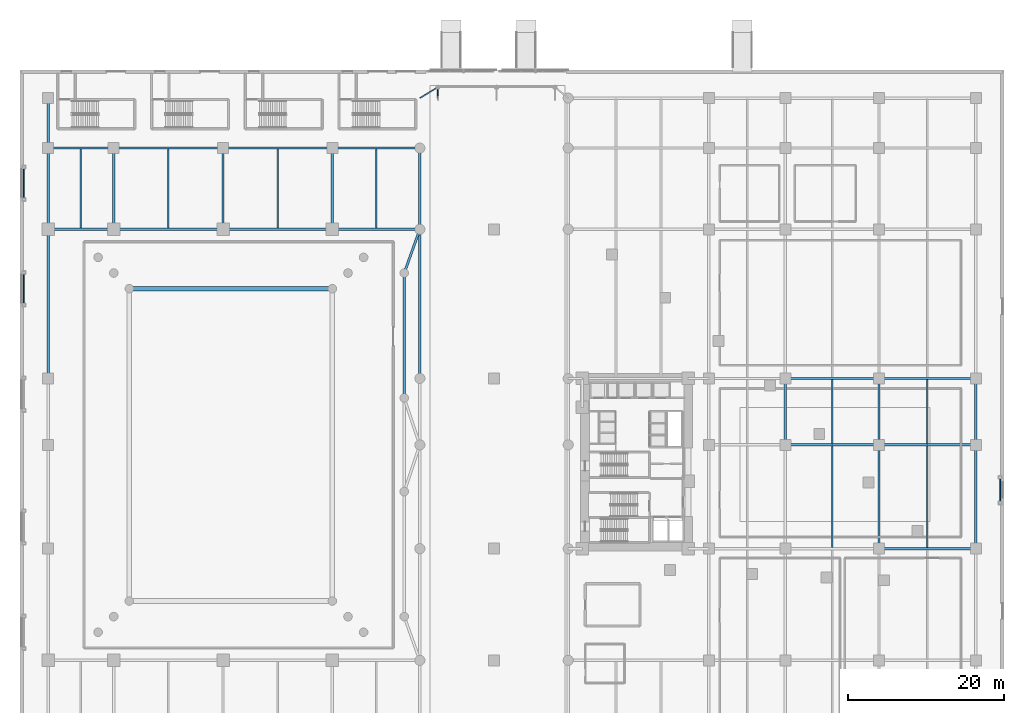
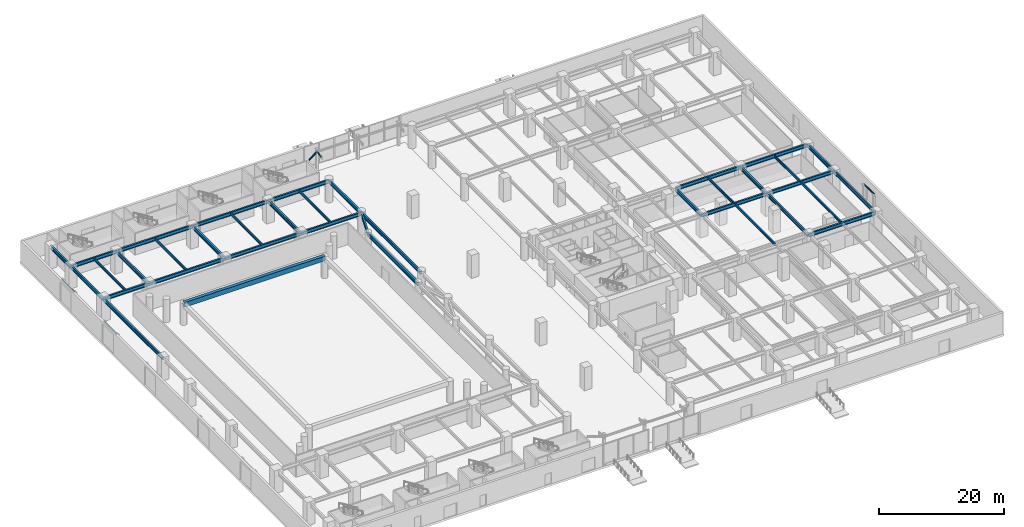
# One storey, part 16 of 42: 41 beams, 1 member.
"""IFC4 building model written with IfcOpenShell, lengths in metres."""

from ifc_helpers import new_model, si_unit, direction, frame, origin, origin_2d, place, context, subcontext, project, spatial, rectangle, hollow_rectangle, i_section, extrude, material, material_profile, profile_set, type_object, element, save


model = new_model("IFC4")

# Units and contexts
model_context = context("Model", 3, precision=1e-05, world=origin(), true_north=direction((0.0, 1.0)))
body_context = subcontext(model_context, "Body", "Model", "MODEL_VIEW")
ifc_project = project(units=[si_unit("LENGTHUNIT", "METRE"), si_unit("AREAUNIT", "SQUARE_METRE"), si_unit("VOLUMEUNIT", "CUBIC_METRE"), si_unit("PLANEANGLEUNIT", "RADIAN"), si_unit("MASSUNIT", "GRAM", prefix="KILO")], contexts=[model_context])

# Site, building, storey
site_placement = place(None, origin())
site = spatial("IfcSite", under=ifc_project, at=site_placement, CompositionType="ELEMENT")
building_placement = place(site_placement, origin())
building = spatial("IfcBuilding", under=site, at=building_placement, Name="Narakoshi Arena Tower", CompositionType="ELEMENT")
storey_placement = place(building_placement, origin())
storey = spatial("IfcBuildingStorey", under=building, at=storey_placement, Name="L00", CompositionType="ELEMENT", Elevation=0.0)

# Beams
ifc_material_1 = material(Name="Structural steel S355J2", Category="steel")
ifc_material_profile_1 = material_profile(ifc_material_1, i_section(OverallWidth=0.14990234375, OverallDepth=0.300048828125, WebThickness=0.007080078125, FlangeThickness=0.0107421875, FilletRadius=0.014892578125, at=origin_2d()), Name="IPE300")
ifc_profile_set_1 = profile_set([ifc_material_profile_1], Name="Structural steel S355J2")
beam_type_1 = type_object("IfcBeamType", Name="BM-CAN-300", PredefinedType="BEAM", material=ifc_profile_set_1)
beam_1_placement = place(storey_placement, frame((51.199951171875, 92.39990234375, 4.030029296875), z_axis=(0.854179295983, 0.519978586399, 0.0), x_axis=(-0.519978586399, 0.854179295983, 0.0)))
element("IfcBeam", 1, at=beam_1_placement, inside=storey, type_object=beam_type_1, Name="L00 Concourse Canopy Beam 05", PredefinedType="BEAM", context=body_context, shape_type="SweptSolid", body=[
    extrude(i_section(OverallWidth=0.14990234375, OverallDepth=0.300048828125, WebThickness=0.007080078125, FlangeThickness=0.0107421875, FilletRadius=0.014892578125, at=origin_2d()), origin(), (0.0, 0.0, 1.0), 2.692626953125),
])
ifc_material_profile_2 = material_profile(ifc_material_1, i_section(OverallWidth=0.1201171875, OverallDepth=0.239990234375, WebThickness=0.006103515625, FlangeThickness=0.009765625, FilletRadius=0.014892578125, at=origin_2d()), Name="IPE240")
ifc_profile_set_2 = profile_set([ifc_material_profile_2], Name="Structural steel S355J2")
beam_type_2 = type_object("IfcBeamType", Name="BM-LINT-240", PredefinedType="LINTEL", material=ifc_profile_set_2)
for number, where, z_axis, x_axis, name in (
    (2, (0.469970703125, 83.610107421875, 3.93994140625), (0.0, -1.0, 0.0), (1.0, 0.0, 0.0), "L00 Arena Roller-Shutter Steel Lintel 01"),
    (3, (0.469970703125, 70.110107421875, 3.93994140625), (0.0, -1.0, 0.0), (1.0, 0.0, 0.0), "L00 Arena Roller-Shutter Steel Lintel 02"),
):
    element("IfcBeam", number, at=place(storey_placement, frame(where, z_axis=z_axis, x_axis=x_axis)), inside=storey, type_object=beam_type_2, Name=name, PredefinedType="LINTEL", context=body_context, shape_type="SweptSolid", body=[
        extrude(i_section(OverallWidth=0.1201171875, OverallDepth=0.239990234375, WebThickness=0.006103515625, FlangeThickness=0.009765625, FilletRadius=0.014892578125, at=origin_2d()), origin(), (0.0, 0.0, 1.0), 4.239990234375),
    ])
beam_2_placement = place(storey_placement, frame((125.530029296875, 40.5, 2.75), z_axis=(0.0, 1.0, 0.0), x_axis=(-1.0, 0.0, 0.0)))
element("IfcBeam", 4, at=beam_2_placement, inside=storey, type_object=beam_type_2, Name="L00 Main Lobby Entrance Steel Lintel 06", PredefinedType="LINTEL", context=body_context, shape_type="SweptSolid", body=[
    extrude(i_section(OverallWidth=0.1201171875, OverallDepth=0.239990234375, WebThickness=0.006103515625, FlangeThickness=0.009765625, FilletRadius=0.014892578125, at=origin_2d()), origin(), (0.0, 0.0, 1.0), 3.39990234375),
])
ifc_material_profile_3 = material_profile(ifc_material_1, i_section(OverallWidth=0.300048828125, OverallDepth=0.699951171875, WebThickness=0.01708984375, FlangeThickness=0.031982421875, FilletRadius=0.027099609375, at=origin_2d()), Name="HE700B")
ifc_profile_set_3 = profile_set([ifc_material_profile_3], Name="Structural steel S355J2")
beam_type_3 = type_object("IfcBeamType", Name="BM-PRI-700", PredefinedType="BEAM", material=ifc_profile_set_3)
beam_3_placement = place(storey_placement, frame((49.199951171875, 70.0, 3.830078125), z_axis=(0.336331195321, 0.94174376932, 0.0), x_axis=(-0.94174376932, 0.336331195321, 0.0)))
element("IfcBeam", 5, at=beam_3_placement, inside=storey, type_object=beam_type_3, Name="L00 Arena Foyer Tie Beam 04", PredefinedType="BEAM", context=body_context, shape_type="SweptSolid", body=[
    extrude(i_section(OverallWidth=0.300048828125, OverallDepth=0.699951171875, WebThickness=0.01708984375, FlangeThickness=0.031982421875, FilletRadius=0.027099609375, at=origin_2d()), origin(), (0.0, 0.0, 1.0), 5.946533203125),
])
beam_4_placement = place(storey_placement, frame((49.199951171875, 54.0, 3.830078125), z_axis=(0.0, 1.0, 0.0), x_axis=(-1.0, 0.0, 0.0)))
element("IfcBeam", 6, at=beam_4_placement, inside=storey, type_object=beam_type_3, Name="L00 Arena Foyer Ring Beam 54", PredefinedType="BEAM", context=body_context, shape_type="SweptSolid", body=[
    extrude(i_section(OverallWidth=0.300048828125, OverallDepth=0.699951171875, WebThickness=0.01708984375, FlangeThickness=0.031982421875, FilletRadius=0.027099609375, at=origin_2d()), origin(), (0.0, 0.0, 1.0), 16.0),
])
beam_5_placement = place(storey_placement, frame((110.0, 34.699951171875, 3.830078125), z_axis=(1.0, 0.0, 0.0), x_axis=(0.0, 1.0, 0.0)))
element("IfcBeam", 7, at=beam_5_placement, inside=storey, type_object=beam_type_3, Name="L00 Podium Primary X-Girder 025", PredefinedType="BEAM", context=body_context, shape_type="SweptSolid", body=[
    extrude(i_section(OverallWidth=0.300048828125, OverallDepth=0.699951171875, WebThickness=0.01708984375, FlangeThickness=0.031982421875, FilletRadius=0.027099609375, at=origin_2d()), origin(), (0.0, 0.0, 1.0), 12.39990234375),
])
beam_6_placement = place(storey_placement, frame((98.0, 48.0, 3.830078125), z_axis=(1.0, 0.0, 0.0), x_axis=(0.0, 1.0, 0.0)))
element("IfcBeam", 8, at=beam_6_placement, inside=storey, type_object=beam_type_3, Name="L00 Podium Primary X-Girder 027", PredefinedType="BEAM", context=body_context, shape_type="SweptSolid", body=[
    extrude(i_section(OverallWidth=0.300048828125, OverallDepth=0.699951171875, WebThickness=0.01708984375, FlangeThickness=0.031982421875, FilletRadius=0.027099609375, at=origin_2d()), origin(), (0.0, 0.0, 1.0), 12.0),
])
beam_7_placement = place(storey_placement, frame((110.0, 48.0, 3.830078125), z_axis=(1.0, 0.0, 0.0), x_axis=(0.0, 1.0, 0.0)))
element("IfcBeam", 9, at=beam_7_placement, inside=storey, type_object=beam_type_3, Name="L00 Podium Primary X-Girder 028", PredefinedType="BEAM", context=body_context, shape_type="SweptSolid", body=[
    extrude(i_section(OverallWidth=0.300048828125, OverallDepth=0.699951171875, WebThickness=0.01708984375, FlangeThickness=0.031982421875, FilletRadius=0.027099609375, at=origin_2d()), origin(), (0.0, 0.0, 1.0), 12.39990234375),
])
beam_8_placement = place(storey_placement, frame((98.0, 56.5, 3.830078125), z_axis=(1.0, 0.0, 0.0), x_axis=(0.0, 1.0, 0.0)))
element("IfcBeam", 10, at=beam_8_placement, inside=storey, type_object=beam_type_3, Name="L00 Podium Primary X-Girder 033", PredefinedType="BEAM", context=body_context, shape_type="SweptSolid", body=[
    extrude(i_section(OverallWidth=0.300048828125, OverallDepth=0.699951171875, WebThickness=0.01708984375, FlangeThickness=0.031982421875, FilletRadius=0.027099609375, at=origin_2d()), origin(), (0.0, 0.0, 1.0), 12.0),
])
beam_9_placement = place(storey_placement, frame((110.0, 56.5, 3.830078125), z_axis=(1.0, 0.0, 0.0), x_axis=(0.0, 1.0, 0.0)))
element("IfcBeam", 11, at=beam_9_placement, inside=storey, type_object=beam_type_3, Name="L00 Podium Primary X-Girder 034", PredefinedType="BEAM", context=body_context, shape_type="SweptSolid", body=[
    extrude(i_section(OverallWidth=0.300048828125, OverallDepth=0.699951171875, WebThickness=0.01708984375, FlangeThickness=0.031982421875, FilletRadius=0.027099609375, at=origin_2d()), origin(), (0.0, 0.0, 1.0), 12.39990234375),
])
beam_10_placement = place(storey_placement, frame((3.60009765625, 75.60009765625, 3.830078125), z_axis=(1.0, 0.0, 0.0), x_axis=(0.0, 1.0, 0.0)))
element("IfcBeam", 12, at=beam_10_placement, inside=storey, type_object=beam_type_3, Name="L00 Podium Primary X-Girder 035", PredefinedType="BEAM", context=body_context, shape_type="SweptSolid", body=[
    extrude(i_section(OverallWidth=0.300048828125, OverallDepth=0.699951171875, WebThickness=0.01708984375, FlangeThickness=0.031982421875, FilletRadius=0.027099609375, at=origin_2d()), origin(), (0.0, 0.0, 1.0), 8.39990234375),
])
for number, where, z_axis, x_axis, name in (
    (13, (12.0, 75.60009765625, 3.830078125), (1.0, 0.0, 0.0), (0.0, 1.0, 0.0), "L00 Podium Primary X-Girder 036"),
    (14, (26.0, 75.60009765625, 3.830078125), (1.0, 0.0, 0.0), (0.0, 1.0, 0.0), "L00 Podium Primary X-Girder 037"),
):
    element("IfcBeam", number, at=place(storey_placement, frame(where, z_axis=z_axis, x_axis=x_axis)), inside=storey, type_object=beam_type_3, Name=name, PredefinedType="BEAM", context=body_context, shape_type="SweptSolid", body=[
        extrude(i_section(OverallWidth=0.300048828125, OverallDepth=0.699951171875, WebThickness=0.01708984375, FlangeThickness=0.031982421875, FilletRadius=0.027099609375, at=origin_2d()), origin(), (0.0, 0.0, 1.0), 14.0),
    ])
beam_11_placement = place(storey_placement, frame((40.0, 75.60009765625, 3.830078125), z_axis=(1.0, 0.0, 0.0), x_axis=(0.0, 1.0, 0.0)))
element("IfcBeam", 15, at=beam_11_placement, inside=storey, type_object=beam_type_3, Name="L00 Podium Primary X-Girder 038", PredefinedType="BEAM", context=body_context, shape_type="SweptSolid", body=[
    extrude(i_section(OverallWidth=0.300048828125, OverallDepth=0.699951171875, WebThickness=0.01708984375, FlangeThickness=0.031982421875, FilletRadius=0.027099609375, at=origin_2d()), origin(), (0.0, 0.0, 1.0), 11.199951171875),
])
beam_12_placement = place(storey_placement, frame((3.60009765625, 86.0, 3.830078125), z_axis=(1.0, 0.0, 0.0), x_axis=(0.0, 1.0, 0.0)))
element("IfcBeam", 16, at=beam_12_placement, inside=storey, type_object=beam_type_3, Name="L00 Podium Primary X-Girder 043", PredefinedType="BEAM", context=body_context, shape_type="SweptSolid", body=[
    extrude(i_section(OverallWidth=0.300048828125, OverallDepth=0.699951171875, WebThickness=0.01708984375, FlangeThickness=0.031982421875, FilletRadius=0.027099609375, at=origin_2d()), origin(), (0.0, 0.0, 1.0), 8.39990234375),
])
for number, where, z_axis, x_axis, name in (
    (17, (12.0, 86.0, 3.830078125), (1.0, 0.0, 0.0), (0.0, 1.0, 0.0), "L00 Podium Primary X-Girder 044"),
    (18, (26.0, 86.0, 3.830078125), (1.0, 0.0, 0.0), (0.0, 1.0, 0.0), "L00 Podium Primary X-Girder 045"),
):
    element("IfcBeam", number, at=place(storey_placement, frame(where, z_axis=z_axis, x_axis=x_axis)), inside=storey, type_object=beam_type_3, Name=name, PredefinedType="BEAM", context=body_context, shape_type="SweptSolid", body=[
        extrude(i_section(OverallWidth=0.300048828125, OverallDepth=0.699951171875, WebThickness=0.01708984375, FlangeThickness=0.031982421875, FilletRadius=0.027099609375, at=origin_2d()), origin(), (0.0, 0.0, 1.0), 14.0),
    ])
beam_13_placement = place(storey_placement, frame((40.0, 86.0, 3.830078125), z_axis=(1.0, 0.0, 0.0), x_axis=(0.0, 1.0, 0.0)))
element("IfcBeam", 19, at=beam_13_placement, inside=storey, type_object=beam_type_3, Name="L00 Podium Primary X-Girder 046", PredefinedType="BEAM", context=body_context, shape_type="SweptSolid", body=[
    extrude(i_section(OverallWidth=0.300048828125, OverallDepth=0.699951171875, WebThickness=0.01708984375, FlangeThickness=0.031982421875, FilletRadius=0.027099609375, at=origin_2d()), origin(), (0.0, 0.0, 1.0), 11.199951171875),
])
beam_14_placement = place(storey_placement, frame((3.60009765625, 56.5, 3.830078125), z_axis=(0.0, 1.0, 0.0), x_axis=(-1.0, 0.0, 0.0)))
element("IfcBeam", 20, at=beam_14_placement, inside=storey, type_object=beam_type_3, Name="L00 Podium Primary Y-Girder 060", PredefinedType="BEAM", context=body_context, shape_type="SweptSolid", body=[
    extrude(i_section(OverallWidth=0.300048828125, OverallDepth=0.699951171875, WebThickness=0.01708984375, FlangeThickness=0.031982421875, FilletRadius=0.027099609375, at=origin_2d()), origin(), (0.0, 0.0, 1.0), 19.10009765625),
])
beam_15_placement = place(storey_placement, frame((3.60009765625, 75.60009765625, 3.830078125), z_axis=(0.0, 1.0, 0.0), x_axis=(-1.0, 0.0, 0.0)))
element("IfcBeam", 21, at=beam_15_placement, inside=storey, type_object=beam_type_3, Name="L00 Podium Primary Y-Girder 061", PredefinedType="BEAM", context=body_context, shape_type="SweptSolid", body=[
    extrude(i_section(OverallWidth=0.300048828125, OverallDepth=0.699951171875, WebThickness=0.01708984375, FlangeThickness=0.031982421875, FilletRadius=0.027099609375, at=origin_2d()), origin(), (0.0, 0.0, 1.0), 10.39990234375),
])
beam_16_placement = place(storey_placement, frame((3.60009765625, 86.0, 3.830078125), z_axis=(0.0, 1.0, 0.0), x_axis=(-1.0, 0.0, 0.0)))
element("IfcBeam", 22, at=beam_16_placement, inside=storey, type_object=beam_type_3, Name="L00 Podium Primary Y-Girder 062", PredefinedType="BEAM", context=body_context, shape_type="SweptSolid", body=[
    extrude(i_section(OverallWidth=0.300048828125, OverallDepth=0.699951171875, WebThickness=0.01708984375, FlangeThickness=0.031982421875, FilletRadius=0.027099609375, at=origin_2d()), origin(), (0.0, 0.0, 1.0), 6.39990234375),
])
for number, where, z_axis, x_axis, name in (
    (23, (12.0, 75.60009765625, 3.830078125), (0.0, 1.0, 0.0), (-1.0, 0.0, 0.0), "L00 Podium Primary Y-Girder 064"),
    (24, (26.0, 75.60009765625, 3.830078125), (0.0, 1.0, 0.0), (-1.0, 0.0, 0.0), "L00 Podium Primary Y-Girder 066"),
    (25, (40.0, 75.60009765625, 3.830078125), (0.0, 1.0, 0.0), (-1.0, 0.0, 0.0), "L00 Podium Primary Y-Girder 068"),
):
    element("IfcBeam", number, at=place(storey_placement, frame(where, z_axis=z_axis, x_axis=x_axis)), inside=storey, type_object=beam_type_3, Name=name, PredefinedType="BEAM", context=body_context, shape_type="SweptSolid", body=[
        extrude(i_section(OverallWidth=0.300048828125, OverallDepth=0.699951171875, WebThickness=0.01708984375, FlangeThickness=0.031982421875, FilletRadius=0.027099609375, at=origin_2d()), origin(), (0.0, 0.0, 1.0), 10.39990234375),
    ])
beam_17_placement = place(storey_placement, frame((51.199951171875, 56.5, 3.830078125), z_axis=(0.0, 1.0, 0.0), x_axis=(-1.0, 0.0, 0.0)))
element("IfcBeam", 26, at=beam_17_placement, inside=storey, type_object=beam_type_3, Name="L00 Podium Primary Y-Girder 073", PredefinedType="BEAM", context=body_context, shape_type="SweptSolid", body=[
    extrude(i_section(OverallWidth=0.300048828125, OverallDepth=0.699951171875, WebThickness=0.01708984375, FlangeThickness=0.031982421875, FilletRadius=0.027099609375, at=origin_2d()), origin(), (0.0, 0.0, 1.0), 19.10009765625),
])
beam_18_placement = place(storey_placement, frame((51.199951171875, 75.60009765625, 3.830078125), z_axis=(0.0, 1.0, 0.0), x_axis=(-1.0, 0.0, 0.0)))
element("IfcBeam", 27, at=beam_18_placement, inside=storey, type_object=beam_type_3, Name="L00 Podium Primary Y-Girder 074", PredefinedType="BEAM", context=body_context, shape_type="SweptSolid", body=[
    extrude(i_section(OverallWidth=0.300048828125, OverallDepth=0.699951171875, WebThickness=0.01708984375, FlangeThickness=0.031982421875, FilletRadius=0.027099609375, at=origin_2d()), origin(), (0.0, 0.0, 1.0), 10.39990234375),
])
beam_19_placement = place(storey_placement, frame((98.0, 48.0, 3.830078125), z_axis=(0.0, 1.0, 0.0), x_axis=(-1.0, 0.0, 0.0)))
element("IfcBeam", 28, at=beam_19_placement, inside=storey, type_object=beam_type_3, Name="L00 Podium Primary Y-Girder 096", PredefinedType="BEAM", context=body_context, shape_type="SweptSolid", body=[
    extrude(i_section(OverallWidth=0.300048828125, OverallDepth=0.699951171875, WebThickness=0.01708984375, FlangeThickness=0.031982421875, FilletRadius=0.027099609375, at=origin_2d()), origin(), (0.0, 0.0, 1.0), 8.5),
])
beam_20_placement = place(storey_placement, frame((110.0, 34.699951171875, 3.830078125), z_axis=(0.0, 1.0, 0.0), x_axis=(-1.0, 0.0, 0.0)))
element("IfcBeam", 29, at=beam_20_placement, inside=storey, type_object=beam_type_3, Name="L00 Podium Primary Y-Girder 103", PredefinedType="BEAM", context=body_context, shape_type="SweptSolid", body=[
    extrude(i_section(OverallWidth=0.300048828125, OverallDepth=0.699951171875, WebThickness=0.01708984375, FlangeThickness=0.031982421875, FilletRadius=0.027099609375, at=origin_2d()), origin(), (0.0, 0.0, 1.0), 13.300048828125),
])
beam_21_placement = place(storey_placement, frame((110.0, 48.0, 3.830078125), z_axis=(0.0, 1.0, 0.0), x_axis=(-1.0, 0.0, 0.0)))
element("IfcBeam", 30, at=beam_21_placement, inside=storey, type_object=beam_type_3, Name="L00 Podium Primary Y-Girder 104", PredefinedType="BEAM", context=body_context, shape_type="SweptSolid", body=[
    extrude(i_section(OverallWidth=0.300048828125, OverallDepth=0.699951171875, WebThickness=0.01708984375, FlangeThickness=0.031982421875, FilletRadius=0.027099609375, at=origin_2d()), origin(), (0.0, 0.0, 1.0), 8.5),
])
beam_22_placement = place(storey_placement, frame((122.39990234375, 34.699951171875, 3.830078125), z_axis=(0.0, 1.0, 0.0), x_axis=(-1.0, 0.0, 0.0)))
element("IfcBeam", 31, at=beam_22_placement, inside=storey, type_object=beam_type_3, Name="L00 Podium Primary Y-Girder 111", PredefinedType="BEAM", context=body_context, shape_type="SweptSolid", body=[
    extrude(i_section(OverallWidth=0.300048828125, OverallDepth=0.699951171875, WebThickness=0.01708984375, FlangeThickness=0.031982421875, FilletRadius=0.027099609375, at=origin_2d()), origin(), (0.0, 0.0, 1.0), 13.300048828125),
])
beam_23_placement = place(storey_placement, frame((122.39990234375, 48.0, 3.830078125), z_axis=(0.0, 1.0, 0.0), x_axis=(-1.0, 0.0, 0.0)))
element("IfcBeam", 32, at=beam_23_placement, inside=storey, type_object=beam_type_3, Name="L00 Podium Primary Y-Girder 112", PredefinedType="BEAM", context=body_context, shape_type="SweptSolid", body=[
    extrude(i_section(OverallWidth=0.300048828125, OverallDepth=0.699951171875, WebThickness=0.01708984375, FlangeThickness=0.031982421875, FilletRadius=0.027099609375, at=origin_2d()), origin(), (0.0, 0.0, 1.0), 8.5),
])
ifc_material_2 = material(Name="Concrete C50/60", Category="concrete")
ifc_material_profile_4 = material_profile(ifc_material_2, rectangle(XDim=0.60009765625, YDim=0.89990234375, at=origin_2d()), Name="RCB600x900")
ifc_profile_set_4 = profile_set([ifc_material_profile_4], Name="Concrete C50/60")
beam_type_4 = type_object("IfcBeamType", Name="BM-RC-900", PredefinedType="BEAM", material=ifc_profile_set_4)
beam_24_placement = place(storey_placement, frame((40.0, 68.0, 3.77001953125), z_axis=(-1.0, 0.0, 0.0), x_axis=(0.0, -1.0, 0.0)))
element("IfcBeam", 33, at=beam_24_placement, inside=storey, type_object=beam_type_4, Name="L00 Arena Bowl Concrete Ring Beam 3", PredefinedType="BEAM", context=body_context, shape_type="SweptSolid", body=[
    extrude(rectangle(XDim=0.60009765625, YDim=0.89990234375, at=origin_2d()), origin(), (0.0, 0.0, 1.0), 26.0),
])
ifc_material_profile_5 = material_profile(ifc_material_1, i_section(OverallWidth=0.199951171875, OverallDepth=0.5, WebThickness=0.01025390625, FlangeThickness=0.01611328125, FilletRadius=0.02099609375, at=origin_2d()), Name="IPE500")
ifc_profile_set_5 = profile_set([ifc_material_profile_5], Name="Structural steel S355J2")
beam_type_5 = type_object("IfcBeamType", Name="BM-SEC-500", PredefinedType="JOIST", material=ifc_profile_set_5)
for number, where, z_axis, x_axis, name in (
    (34, (7.800048828125, 75.735107421875, 3.929931640625), (0.0, 1.0, 0.0), (-1.0, 0.0, 0.0), "L00 Podium Composite Floor Joist 002"),
    (35, (19.0, 75.735107421875, 3.929931640625), (0.0, 1.0, 0.0), (-1.0, 0.0, 0.0), "L00 Podium Composite Floor Joist 004"),
    (36, (33.0, 75.735107421875, 3.929931640625), (0.0, 1.0, 0.0), (-1.0, 0.0, 0.0), "L00 Podium Composite Floor Joist 006"),
    (37, (45.60009765625, 75.735107421875, 3.929931640625), (0.0, 1.0, 0.0), (-1.0, 0.0, 0.0), "L00 Podium Composite Floor Joist 008"),
):
    element("IfcBeam", number, at=place(storey_placement, frame(where, z_axis=z_axis, x_axis=x_axis)), inside=storey, type_object=beam_type_5, Name=name, PredefinedType="JOIST", context=body_context, shape_type="SweptSolid", body=[
        extrude(i_section(OverallWidth=0.199951171875, OverallDepth=0.5, WebThickness=0.01025390625, FlangeThickness=0.01611328125, FilletRadius=0.02099609375, at=origin_2d()), origin(), (0.0, 0.0, 1.0), 10.1298828125),
    ])
beam_25_placement = place(storey_placement, frame((104.0, 34.8349609375, 3.929931640625), z_axis=(0.0, 1.0, 0.0), x_axis=(-1.0, 0.0, 0.0)))
element("IfcBeam", 38, at=beam_25_placement, inside=storey, type_object=beam_type_5, Name="L00 Podium Composite Floor Joist 030", PredefinedType="JOIST", context=body_context, shape_type="SweptSolid", body=[
    extrude(i_section(OverallWidth=0.199951171875, OverallDepth=0.5, WebThickness=0.01025390625, FlangeThickness=0.01611328125, FilletRadius=0.02099609375, at=origin_2d()), origin(), (0.0, 0.0, 1.0), 13.030029296875),
])
beam_26_placement = place(storey_placement, frame((104.0, 48.135009765625, 3.929931640625), z_axis=(0.0, 1.0, 0.0), x_axis=(-1.0, 0.0, 0.0)))
element("IfcBeam", 39, at=beam_26_placement, inside=storey, type_object=beam_type_5, Name="L00 Podium Composite Floor Joist 031", PredefinedType="JOIST", context=body_context, shape_type="SweptSolid", body=[
    extrude(i_section(OverallWidth=0.199951171875, OverallDepth=0.5, WebThickness=0.01025390625, FlangeThickness=0.01611328125, FilletRadius=0.02099609375, at=origin_2d()), origin(), (0.0, 0.0, 1.0), 8.22998046875),
])
beam_27_placement = place(storey_placement, frame((116.199951171875, 34.8349609375, 3.929931640625), z_axis=(0.0, 1.0, 0.0), x_axis=(-1.0, 0.0, 0.0)))
element("IfcBeam", 40, at=beam_27_placement, inside=storey, type_object=beam_type_5, Name="L00 Podium Composite Floor Joist 038", PredefinedType="JOIST", context=body_context, shape_type="SweptSolid", body=[
    extrude(i_section(OverallWidth=0.199951171875, OverallDepth=0.5, WebThickness=0.01025390625, FlangeThickness=0.01611328125, FilletRadius=0.02099609375, at=origin_2d()), origin(), (0.0, 0.0, 1.0), 13.030029296875),
])
beam_28_placement = place(storey_placement, frame((116.199951171875, 48.135009765625, 3.929931640625), z_axis=(0.0, 1.0, 0.0), x_axis=(-1.0, 0.0, 0.0)))
element("IfcBeam", 41, at=beam_28_placement, inside=storey, type_object=beam_type_5, Name="L00 Podium Composite Floor Joist 039", PredefinedType="JOIST", context=body_context, shape_type="SweptSolid", body=[
    extrude(i_section(OverallWidth=0.199951171875, OverallDepth=0.5, WebThickness=0.01025390625, FlangeThickness=0.01611328125, FilletRadius=0.02099609375, at=origin_2d()), origin(), (0.0, 0.0, 1.0), 8.22998046875),
])

# Member
ifc_material_profile_6 = material_profile(ifc_material_1, hollow_rectangle(XDim=0.14990234375, YDim=0.25, WallThickness=0.010009765625, OuterFilletRadius=0.02001953125, at=origin_2d()), Name="RHS250x150x10")
ifc_profile_set_6 = profile_set([ifc_material_profile_6], Name="Structural steel S355J2")
member_type = type_object("IfcMemberType", Name="MEM-CAN-250", PredefinedType="STRINGER", material=ifc_profile_set_6)
member_placement = place(storey_placement, frame((53.5, 93.800048828125, 4.030029296875), z_axis=(0.0, -0.984430758038, -0.175772815385), x_axis=(1.0, 0.0, 0.0)))
element("IfcMember", 42, at=member_placement, inside=storey, type_object=member_type, Name="L00 Concourse Canopy Tie 04", PredefinedType="STRINGER", context=body_context, shape_type="SweptSolid", body=[
    extrude(hollow_rectangle(XDim=0.14990234375, YDim=0.25, WallThickness=0.010009765625, OuterFilletRadius=0.02001953125, at=origin_2d()), origin(), (0.0, 0.0, 1.0), 1.42236328125),
])

save(model, "model.ifc")
